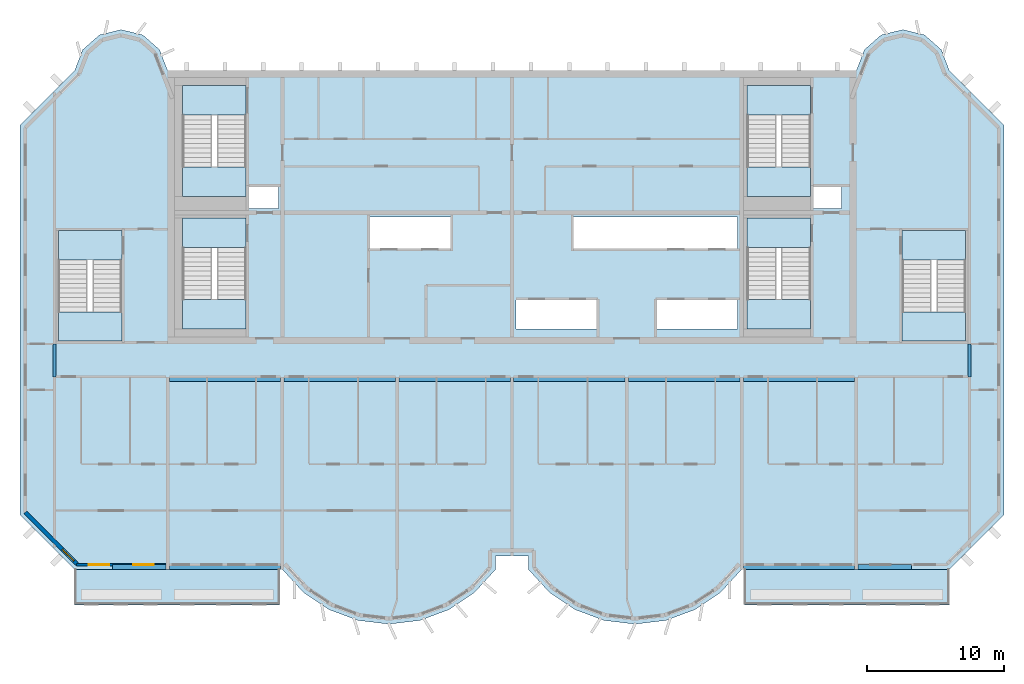
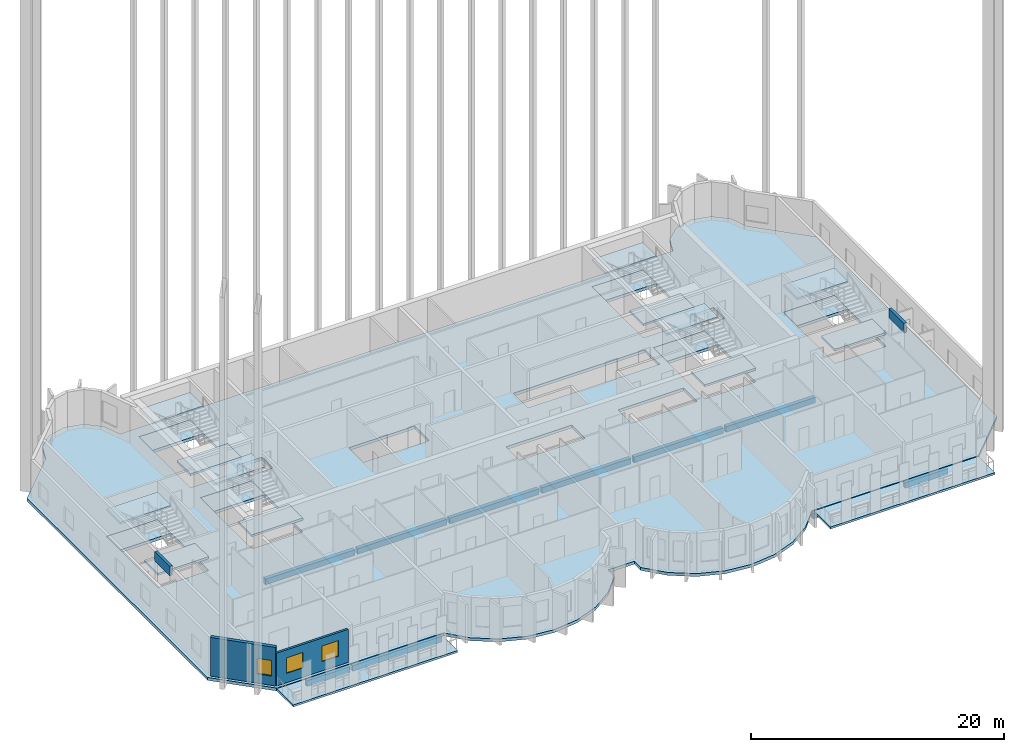
# One storey, part 1 of 13: 21 slabs, 12 beams, 3 windows, 2 walls, 3 openings, 6 elements without a shape of their own.
"""IFC4 building model written with IfcOpenShell, lengths in metres."""

from ifc_helpers import new_model, si_unit, direction, frame, frame_2d, origin, origin_2d, place, context, subcontext, project, spatial, polyline, rectangle, outline, extrude, source, transform, mapped, material, layer, layer_set, material_profile, profile_set, type_object, element, fill, aggregate, save


model = new_model("IFC4")

# Units and contexts
model_context = context("Model", 3, precision=1e-05, world=origin(), true_north=direction((0.0, 1.0)))
body_context = subcontext(model_context, "Body", "Model", "MODEL_VIEW")
ifc_project = project(units=[si_unit("LENGTHUNIT", "METRE"), si_unit("AREAUNIT", "SQUARE_METRE"), si_unit("VOLUMEUNIT", "CUBIC_METRE"), si_unit("PLANEANGLEUNIT", "RADIAN"), si_unit("MASSUNIT", "GRAM", prefix="KILO")], contexts=[model_context])

# Site, building, storey
site_placement = place(None, origin())
site = spatial("IfcSite", under=ifc_project, at=site_placement, CompositionType="ELEMENT")
building_placement = place(site_placement, origin())
building = spatial("IfcBuilding", under=site, at=building_placement, Name="Vanashikhar Sky Hotel", CompositionType="ELEMENT")
storey_placement = place(building_placement, frame((0.0, 0.0, 277.699951171875)))
storey = spatial("IfcBuildingStorey", under=building, at=storey_placement, Name="L66", CompositionType="ELEMENT", Elevation=277.699951171875)

# Beams
ifc_material_1 = material(Name="Concrete M50", Category="concrete")
ifc_material_profile_1 = material_profile(ifc_material_1, rectangle(XDim=0.25, YDim=0.89990234375, at=origin_2d()))
ifc_profile_set_1 = profile_set([ifc_material_profile_1], Name="RC 250x900 beam Concrete M50")
beam_type_1 = type_object("IfcBeamType", Name="RC 250x900 beam Concrete M50", PredefinedType="LINTEL", material=ifc_profile_set_1)
shared_shape_1 = source(origin(), body_context, "Body", "SweptSolid", [
    extrude(rectangle(XDim=0.25, YDim=0.89990234375, at=origin_2d()), origin(), (0.0, 0.0, 1.0), 2.39990234375),
])
for number, where, z_axis, x_axis, name in (
    (1, (16.925048828125, 19.60009765625, 3.27001953125), (0.0, 1.0, 0.0), (-1.0, 0.0, 0.0), "LB-L66-XW03"),
    (2, (83.875, 19.60009765625, 3.27001953125), (0.0, 1.0, 0.0), (-1.0, 0.0, 0.0), "LB-L66-XW11"),
):
    element("IfcBeam", number, at=place(storey_placement, frame(where, z_axis=z_axis, x_axis=x_axis)), inside=storey, type_object=beam_type_1, Name=name, PredefinedType="LINTEL", context=body_context, shape_type="MappedRepresentation", body=[
        mapped(shared_shape_1, transform((0.0, 0.0, 0.0), scale=1.0)),
    ])
ifc_material_profile_2 = material_profile(ifc_material_1, rectangle(XDim=0.35009765625, YDim=0.550048828125, at=origin_2d()))
ifc_profile_set_2 = profile_set([ifc_material_profile_2], Name="RC 350x550 beam Concrete M50")
beam_type_2 = type_object("IfcBeamType", Name="RC 350x550 beam Concrete M50", PredefinedType="SPANDREL", material=ifc_profile_set_2)
shared_shape_2 = source(origin(), body_context, "Body", "SweptSolid", [
    extrude(rectangle(XDim=0.35009765625, YDim=0.550048828125, at=origin_2d()), origin(), (0.0, 0.0, 1.0), 8.150146484375),
])
for number, where, z_axis, x_axis, name in (
    (3, (25.324951171875, 5.675048828125, -0.554931640625), (1.0, 0.0, 0.0), (0.0, 1.0, 0.0), "EB-L66-F01"),
    (4, (67.324951171875, 5.675048828125, -0.554931640625), (1.0, 0.0, 0.0), (0.0, 1.0, 0.0), "EB-L66-F03"),
    (5, (25.324951171875, 19.425048828125, -0.554931640625), (1.0, 0.0, 0.0), (0.0, 1.0, 0.0), "CB-L66-01"),
    (6, (50.52490234375, 19.425048828125, -0.554931640625), (1.0, 0.0, 0.0), (0.0, 1.0, 0.0), "CB-L66-04"),
    (7, (67.324951171875, 19.425048828125, -0.554931640625), (1.0, 0.0, 0.0), (0.0, 1.0, 0.0), "CB-L66-06"),
):
    element("IfcBeam", number, at=place(storey_placement, frame(where, z_axis=z_axis, x_axis=x_axis)), inside=storey, type_object=beam_type_2, Name=name, PredefinedType="SPANDREL", context=body_context, shape_type="MappedRepresentation", body=[
        mapped(shared_shape_2, transform((0.0, 0.0, 0.0), scale=1.0)),
    ])
ifc_material_profile_3 = material_profile(ifc_material_1, rectangle(XDim=0.35009765625, YDim=0.550048828125, at=origin_2d()))
ifc_profile_set_3 = profile_set([ifc_material_profile_3], Name="RC 350x550 cantilever beam Concrete M50")
beam_type_3 = type_object("IfcBeamType", Name="RC 350x550 cantilever beam Concrete M50", PredefinedType="SPANDREL", material=ifc_profile_set_3)
shared_shape_3 = source(origin(), body_context, "Body", "SweptSolid", [
    extrude(rectangle(XDim=0.35009765625, YDim=0.550048828125, at=origin_2d()), origin(), (0.0, 0.0, 1.0), 3.89990234375),
])
for number, where, z_axis, x_axis, name in (
    (8, (21.175048828125, 5.675048828125, -0.554931640625), (1.0, 0.0, 0.0), (0.0, 1.0, 0.0), "EB-L66-F02"),
    (9, (75.72509765625, 5.675048828125, -0.554931640625), (1.0, 0.0, 0.0), (0.0, 1.0, 0.0), "EB-L66-F04"),
):
    element("IfcBeam", number, at=place(storey_placement, frame(where, z_axis=z_axis, x_axis=x_axis)), inside=storey, type_object=beam_type_3, Name=name, PredefinedType="SPANDREL", context=body_context, shape_type="MappedRepresentation", body=[
        mapped(shared_shape_3, transform((0.0, 0.0, 0.0), scale=1.0)),
    ])
shared_shape_4 = source(origin(), body_context, "Body", "SweptSolid", [
    extrude(rectangle(XDim=0.35009765625, YDim=0.550048828125, at=origin_2d()), origin(), (0.0, 0.0, 1.0), 8.14990234375),
])
for number, where, z_axis, x_axis, name in (
    (10, (33.72509765625, 19.425048828125, -0.554931640625), (1.0, 0.0, 0.0), (0.0, 1.0, 0.0), "CB-L66-02"),
    (11, (42.125, 19.425048828125, -0.554931640625), (1.0, 0.0, 0.0), (0.0, 1.0, 0.0), "CB-L66-03"),
    (12, (58.925048828125, 19.425048828125, -0.554931640625), (1.0, 0.0, 0.0), (0.0, 1.0, 0.0), "CB-L66-05"),
):
    element("IfcBeam", number, at=place(storey_placement, frame(where, z_axis=z_axis, x_axis=x_axis)), inside=storey, type_object=beam_type_2, Name=name, PredefinedType="SPANDREL", context=body_context, shape_type="MappedRepresentation", body=[
        mapped(shared_shape_4, transform((0.0, 0.0, 0.0), scale=1.0)),
    ])

# Slabs
ifc_material_2 = material(Name="Concrete M40", Category="concrete")
ifc_layer_1 = layer(ifc_material_2, 0.280029296875)
ifc_layer_set_1 = layer_set([ifc_layer_1], Name="Floor slab 280 mm")
slab_type_1 = type_object("IfcSlabType", Name="Floor slab 280 mm", PredefinedType="FLOOR", material=ifc_layer_set_1)
shared_shape_5 = source(origin(), body_context, "Body", "SweptSolid", [
    extrude(outline(polyline([(49.199951171875, 5.5), (49.199951171875, 6.5), (51.60009765625, 6.5), (51.60009765625, 5.5), (53.133056640625, 3.825927734375), (55.01708984375, 2.55810546875), (57.14599609375, 1.76806640625), (59.39990234375, 1.5), (61.654052734375, 1.76806640625), (63.782958984375, 2.55810546875), (65.6669921875, 3.825927734375), (67.199951171875, 5.5), (82.39990234375, 5.5), (86.39990234375, 9.5), (86.39990234375, 38.0), (82.39990234375, 42.0), (81.81494140625, 43.527099609375), (80.587890625, 44.610107421875), (79.0, 45.0), (77.412109375, 44.610107421875), (76.18505859375, 43.527099609375), (75.60009765625, 42.0), (25.199951171875, 42.0), (24.614990234375, 43.527099609375), (23.387939453125, 44.610107421875), (21.800048828125, 45.0), (20.2119140625, 44.610107421875), (18.985107421875, 43.527099609375), (18.39990234375, 42.0), (14.39990234375, 38.0), (14.39990234375, 9.5), (18.39990234375, 5.5), (33.60009765625, 5.5), (35.133056640625, 3.825927734375), (37.01708984375, 2.55810546875), (39.14599609375, 1.76806640625), (41.39990234375, 1.5), (43.654052734375, 1.76806640625), (45.782958984375, 2.55810546875), (47.6669921875, 3.825927734375), (49.199951171875, 5.5)]), holes=[polyline([(33.300048828125, 33.60009765625), (31.050048828125, 33.60009765625), (31.050048828125, 31.89990234375), (33.300048828125, 31.89990234375), (33.300048828125, 33.60009765625)]), polyline([(39.89990234375, 31.300048828125), (39.89990234375, 29.0), (45.89990234375, 29.0), (45.89990234375, 31.300048828125), (39.89990234375, 31.300048828125)]), polyline([(50.699951171875, 25.199951171875), (50.699951171875, 23.10009765625), (56.699951171875, 23.10009765625), (56.699951171875, 25.199951171875), (50.699951171875, 25.199951171875)]), polyline([(66.89990234375, 29.0), (66.89990234375, 31.300048828125), (54.89990234375, 31.300048828125), (54.89990234375, 29.0), (66.89990234375, 29.0)]), polyline([(60.89990234375, 25.199951171875), (60.89990234375, 23.10009765625), (66.89990234375, 23.10009765625), (66.89990234375, 25.199951171875), (60.89990234375, 25.199951171875)]), polyline([(74.5, 33.60009765625), (72.35009765625, 33.60009765625), (72.35009765625, 31.89990234375), (74.5, 31.89990234375), (74.5, 33.60009765625)]), polyline([(30.949951171875, 23.10009765625), (30.949951171875, 31.199951171875), (26.300048828125, 31.199951171875), (26.300048828125, 23.10009765625), (30.949951171875, 23.10009765625)]), polyline([(72.25, 23.10009765625), (72.25, 31.199951171875), (67.60009765625, 31.199951171875), (67.60009765625, 23.10009765625), (72.25, 23.10009765625)]), polyline([(30.949951171875, 32.800048828125), (30.949951171875, 40.89990234375), (26.300048828125, 40.89990234375), (26.300048828125, 32.800048828125), (30.949951171875, 32.800048828125)]), polyline([(72.25, 32.800048828125), (72.25, 40.89990234375), (67.60009765625, 40.89990234375), (67.60009765625, 32.800048828125), (72.25, 32.800048828125)]), polyline([(83.60009765625, 22.199951171875), (83.60009765625, 30.300048828125), (78.949951171875, 30.300048828125), (78.949951171875, 22.199951171875), (83.60009765625, 22.199951171875)]), polyline([(21.85009765625, 22.199951171875), (21.85009765625, 30.300048828125), (17.199951171875, 30.300048828125), (17.199951171875, 22.199951171875), (21.85009765625, 22.199951171875)])]), origin(), (0.0, 0.0, 1.0), 0.280029296875),
])
slab_1_placement = place(storey_placement, frame((0.0, 0.0, -0.280029296875)))
element("IfcSlab", 13, at=slab_1_placement, inside=storey, type_object=slab_type_1, Name="Floor slab L66", PredefinedType="FLOOR", context=body_context, shape_type="MappedRepresentation", body=[
    mapped(shared_shape_5, transform((0.0, 0.0, 0.0), scale=1.0)),
])
ifc_layer_2 = layer(ifc_material_2, 0.199951171875)
ifc_layer_set_2 = layer_set([ifc_layer_2], Name="Balcony slab 200 mm")
slab_type_2 = type_object("IfcSlabType", Name="Balcony slab 200 mm", PredefinedType="USERDEFINED", material=ifc_layer_set_2)
shared_shape_6 = source(origin(), body_context, "Body", "SweptSolid", [
    extrude(outline(polyline([(18.39990234375, 2.89990234375), (33.39990234375, 2.89990234375), (33.39990234375, 5.5), (18.39990234375, 5.5), (18.39990234375, 2.89990234375)])), origin(), (0.0, 0.0, 1.0), 0.199951171875),
])
slab_2_placement = place(storey_placement, frame((0.0, 0.0, -0.25)))
element("IfcSlab", 14, at=slab_2_placement, inside=storey, type_object=slab_type_2, Name="Balcony slab L66 1", ObjectType="BALCONY", PredefinedType="USERDEFINED", context=body_context, shape_type="MappedRepresentation", body=[
    mapped(shared_shape_6, transform((0.0, 0.0, 0.0), scale=1.0)),
])
shared_shape_7 = source(origin(), body_context, "Body", "SweptSolid", [
    extrude(outline(polyline([(67.39990234375, 2.89990234375), (82.39990234375, 2.89990234375), (82.39990234375, 5.5), (67.39990234375, 5.5), (67.39990234375, 2.89990234375)])), origin(), (0.0, 0.0, 1.0), 0.199951171875),
])
slab_3_placement = place(storey_placement, frame((0.0, 0.0, -0.25)))
element("IfcSlab", 15, at=slab_3_placement, inside=storey, type_object=slab_type_2, Name="Balcony slab L66 2", ObjectType="BALCONY", PredefinedType="USERDEFINED", context=body_context, shape_type="MappedRepresentation", body=[
    mapped(shared_shape_7, transform((0.0, 0.0, 0.0), scale=1.0)),
])

# Stair, slabs
stair_type = type_object("IfcStairType", Name="Exit stair 2150", PredefinedType="DOUBLE_RETURN_STAIR", material=ifc_material_2)
stair_1_placement = place(storey_placement, origin())
stair_1 = element("IfcStair", 16, at=stair_1_placement, inside=storey, type_object=stair_type, Name="L66 Exit stair 1", PredefinedType="DOUBLE_RETURN_STAIR")
ifc_layer_3 = layer(ifc_material_2, 0.199951171875)
ifc_layer_set_3 = layer_set([ifc_layer_3], Name="Stair landing 200")
slab_type_3 = type_object("IfcSlabType", Name="Stair landing 200", PredefinedType="LANDING", material=ifc_layer_set_3)
shared_shape_8 = source(origin(), body_context, "Body", "SweptSolid", [
    extrude(outline(polyline([(30.949951171875, 29.050048828125), (30.949951171875, 31.199951171875), (26.300048828125, 31.199951171875), (26.300048828125, 29.050048828125), (30.949951171875, 29.050048828125)])), origin(), (0.0, 0.0, 1.0), 0.199951171875),
])
slab_4_placement = place(storey_placement, frame((0.0, 0.0, 2.466796875)))
slab_4 = element("IfcSlab", 17, at=slab_4_placement, type_object=slab_type_3, Name="ST-C1 landing 2", PredefinedType="LANDING", context=body_context, shape_type="MappedRepresentation", body=[
    mapped(shared_shape_8, transform((0.0, 0.0, 0.0), scale=1.0)),
])
shared_shape_9 = source(origin(), body_context, "Body", "SweptSolid", [
    extrude(outline(polyline([(30.949951171875, 23.10009765625), (30.949951171875, 25.25), (26.300048828125, 25.25), (26.300048828125, 23.10009765625), (30.949951171875, 23.10009765625)])), origin(), (0.0, 0.0, 1.0), 0.2001953125),
])
slab_5_placement = place(storey_placement, frame((0.0, 0.0, 1.13330078125)))
slab_5 = element("IfcSlab", 18, at=slab_5_placement, type_object=slab_type_3, Name="ST-C1 landing 1", PredefinedType="LANDING", context=body_context, shape_type="MappedRepresentation", body=[
    mapped(shared_shape_9, transform((0.0, 0.0, 0.0), scale=1.0)),
])
aggregate(stair_1, [slab_5, slab_4])

# Slab
ifc_layer_4 = layer(ifc_material_2, 0.280029296875)
ifc_layer_set_4 = layer_set([ifc_layer_4], Name="Stair floor landing 280")
slab_type_4 = type_object("IfcSlabType", Name="Stair floor landing 280", PredefinedType="LANDING", material=ifc_layer_set_4)
shared_shape_10 = source(origin(), body_context, "Body", "SweptSolid", [
    extrude(outline(polyline([(30.949951171875, 29.050048828125), (30.949951171875, 31.199951171875), (26.300048828125, 31.199951171875), (26.300048828125, 29.050048828125), (30.949951171875, 29.050048828125)])), origin(), (0.0, 0.0, 1.0), 0.280029296875),
])
slab_6_placement = place(storey_placement, frame((0.0, 0.0, -0.280029296875)))
element("IfcSlab", 19, at=slab_6_placement, inside=storey, type_object=slab_type_4, Name="Exit stair 1 floor landing", PredefinedType="LANDING", context=body_context, shape_type="MappedRepresentation", body=[
    mapped(shared_shape_10, transform((0.0, 0.0, 0.0), scale=1.0)),
])

# Stair, slabs
stair_2_placement = place(storey_placement, origin())
stair_2 = element("IfcStair", 20, at=stair_2_placement, inside=storey, type_object=stair_type, Name="L66 Exit stair 2", PredefinedType="DOUBLE_RETURN_STAIR")
shared_shape_11 = source(origin(), body_context, "Body", "SweptSolid", [
    extrude(outline(polyline([(72.25, 29.050048828125), (72.25, 31.199951171875), (67.60009765625, 31.199951171875), (67.60009765625, 29.050048828125), (72.25, 29.050048828125)])), origin(), (0.0, 0.0, 1.0), 0.199951171875),
])
slab_7_placement = place(storey_placement, frame((0.0, 0.0, 2.466796875)))
slab_7 = element("IfcSlab", 21, at=slab_7_placement, type_object=slab_type_3, Name="ST-C2 landing 2", PredefinedType="LANDING", context=body_context, shape_type="MappedRepresentation", body=[
    mapped(shared_shape_11, transform((0.0, 0.0, 0.0), scale=1.0)),
])
shared_shape_12 = source(origin(), body_context, "Body", "SweptSolid", [
    extrude(outline(polyline([(72.25, 23.10009765625), (72.25, 25.25), (67.60009765625, 25.25), (67.60009765625, 23.10009765625), (72.25, 23.10009765625)])), origin(), (0.0, 0.0, 1.0), 0.2001953125),
])
slab_8_placement = place(storey_placement, frame((0.0, 0.0, 1.13330078125)))
slab_8 = element("IfcSlab", 22, at=slab_8_placement, type_object=slab_type_3, Name="ST-C2 landing 1", PredefinedType="LANDING", context=body_context, shape_type="MappedRepresentation", body=[
    mapped(shared_shape_12, transform((0.0, 0.0, 0.0), scale=1.0)),
])
aggregate(stair_2, [slab_8, slab_7])

# Slab
shared_shape_13 = source(origin(), body_context, "Body", "SweptSolid", [
    extrude(outline(polyline([(72.25, 29.050048828125), (72.25, 31.199951171875), (67.60009765625, 31.199951171875), (67.60009765625, 29.050048828125), (72.25, 29.050048828125)])), origin(), (0.0, 0.0, 1.0), 0.280029296875),
])
slab_9_placement = place(storey_placement, frame((0.0, 0.0, -0.280029296875)))
element("IfcSlab", 23, at=slab_9_placement, inside=storey, type_object=slab_type_4, Name="Exit stair 2 floor landing", PredefinedType="LANDING", context=body_context, shape_type="MappedRepresentation", body=[
    mapped(shared_shape_13, transform((0.0, 0.0, 0.0), scale=1.0)),
])

# Stair, slabs
stair_3_placement = place(storey_placement, origin())
stair_3 = element("IfcStair", 24, at=stair_3_placement, inside=storey, type_object=stair_type, Name="L66 Exit stair 3", PredefinedType="DOUBLE_RETURN_STAIR")
shared_shape_14 = source(origin(), body_context, "Body", "SweptSolid", [
    extrude(outline(polyline([(21.85009765625, 28.14990234375), (21.85009765625, 30.300048828125), (17.199951171875, 30.300048828125), (17.199951171875, 28.14990234375), (21.85009765625, 28.14990234375)])), origin(), (0.0, 0.0, 1.0), 0.199951171875),
])
slab_10_placement = place(storey_placement, frame((0.0, 0.0, 2.466796875)))
slab_10 = element("IfcSlab", 25, at=slab_10_placement, type_object=slab_type_3, Name="ST-W landing 2", PredefinedType="LANDING", context=body_context, shape_type="MappedRepresentation", body=[
    mapped(shared_shape_14, transform((0.0, 0.0, 0.0), scale=1.0)),
])
shared_shape_15 = source(origin(), body_context, "Body", "SweptSolid", [
    extrude(outline(polyline([(21.85009765625, 22.199951171875), (21.85009765625, 24.35009765625), (17.199951171875, 24.35009765625), (17.199951171875, 22.199951171875), (21.85009765625, 22.199951171875)])), origin(), (0.0, 0.0, 1.0), 0.2001953125),
])
slab_11_placement = place(storey_placement, frame((0.0, 0.0, 1.13330078125)))
slab_11 = element("IfcSlab", 26, at=slab_11_placement, type_object=slab_type_3, Name="ST-W landing 1", PredefinedType="LANDING", context=body_context, shape_type="MappedRepresentation", body=[
    mapped(shared_shape_15, transform((0.0, 0.0, 0.0), scale=1.0)),
])
aggregate(stair_3, [slab_11, slab_10])

# Slab
shared_shape_16 = source(origin(), body_context, "Body", "SweptSolid", [
    extrude(outline(polyline([(21.85009765625, 28.14990234375), (21.85009765625, 30.300048828125), (17.199951171875, 30.300048828125), (17.199951171875, 28.14990234375), (21.85009765625, 28.14990234375)])), origin(), (0.0, 0.0, 1.0), 0.280029296875),
])
slab_12_placement = place(storey_placement, frame((0.0, 0.0, -0.280029296875)))
element("IfcSlab", 27, at=slab_12_placement, inside=storey, type_object=slab_type_4, Name="Exit stair 3 floor landing", PredefinedType="LANDING", context=body_context, shape_type="MappedRepresentation", body=[
    mapped(shared_shape_16, transform((0.0, 0.0, 0.0), scale=1.0)),
])

# Stair, slabs
stair_4_placement = place(storey_placement, origin())
stair_4 = element("IfcStair", 28, at=stair_4_placement, inside=storey, type_object=stair_type, Name="L66 Exit stair 4", PredefinedType="DOUBLE_RETURN_STAIR")
shared_shape_17 = source(origin(), body_context, "Body", "SweptSolid", [
    extrude(outline(polyline([(83.60009765625, 28.14990234375), (83.60009765625, 30.300048828125), (78.949951171875, 30.300048828125), (78.949951171875, 28.14990234375), (83.60009765625, 28.14990234375)])), origin(), (0.0, 0.0, 1.0), 0.199951171875),
])
slab_13_placement = place(storey_placement, frame((0.0, 0.0, 2.466796875)))
slab_13 = element("IfcSlab", 29, at=slab_13_placement, type_object=slab_type_3, Name="ST-E landing 2", PredefinedType="LANDING", context=body_context, shape_type="MappedRepresentation", body=[
    mapped(shared_shape_17, transform((0.0, 0.0, 0.0), scale=1.0)),
])
shared_shape_18 = source(origin(), body_context, "Body", "SweptSolid", [
    extrude(outline(polyline([(83.60009765625, 22.199951171875), (83.60009765625, 24.35009765625), (78.949951171875, 24.35009765625), (78.949951171875, 22.199951171875), (83.60009765625, 22.199951171875)])), origin(), (0.0, 0.0, 1.0), 0.2001953125),
])
slab_14_placement = place(storey_placement, frame((0.0, 0.0, 1.13330078125)))
slab_14 = element("IfcSlab", 30, at=slab_14_placement, type_object=slab_type_3, Name="ST-E landing 1", PredefinedType="LANDING", context=body_context, shape_type="MappedRepresentation", body=[
    mapped(shared_shape_18, transform((0.0, 0.0, 0.0), scale=1.0)),
])
aggregate(stair_4, [slab_14, slab_13])

# Slab
shared_shape_19 = source(origin(), body_context, "Body", "SweptSolid", [
    extrude(outline(polyline([(83.60009765625, 28.14990234375), (83.60009765625, 30.300048828125), (78.949951171875, 30.300048828125), (78.949951171875, 28.14990234375), (83.60009765625, 28.14990234375)])), origin(), (0.0, 0.0, 1.0), 0.280029296875),
])
slab_15_placement = place(storey_placement, frame((0.0, 0.0, -0.280029296875)))
element("IfcSlab", 31, at=slab_15_placement, inside=storey, type_object=slab_type_4, Name="Exit stair 4 floor landing", PredefinedType="LANDING", context=body_context, shape_type="MappedRepresentation", body=[
    mapped(shared_shape_19, transform((0.0, 0.0, 0.0), scale=1.0)),
])

# Stair, slabs
stair_5_placement = place(storey_placement, origin())
stair_5 = element("IfcStair", 32, at=stair_5_placement, inside=storey, type_object=stair_type, Name="L66 Exit stair 5", PredefinedType="DOUBLE_RETURN_STAIR")
shared_shape_20 = source(origin(), body_context, "Body", "SweptSolid", [
    extrude(outline(polyline([(30.949951171875, 38.75), (30.949951171875, 40.89990234375), (26.300048828125, 40.89990234375), (26.300048828125, 38.75), (30.949951171875, 38.75)])), origin(), (0.0, 0.0, 1.0), 0.199951171875),
])
slab_16_placement = place(storey_placement, frame((0.0, 0.0, 2.466796875)))
slab_16 = element("IfcSlab", 33, at=slab_16_placement, type_object=slab_type_3, Name="ST-C3 landing 2", PredefinedType="LANDING", context=body_context, shape_type="MappedRepresentation", body=[
    mapped(shared_shape_20, transform((0.0, 0.0, 0.0), scale=1.0)),
])
shared_shape_21 = source(origin(), body_context, "Body", "SweptSolid", [
    extrude(outline(polyline([(30.949951171875, 32.800048828125), (30.949951171875, 34.949951171875), (26.300048828125, 34.949951171875), (26.300048828125, 32.800048828125), (30.949951171875, 32.800048828125)])), origin(), (0.0, 0.0, 1.0), 0.2001953125),
])
slab_17_placement = place(storey_placement, frame((0.0, 0.0, 1.13330078125)))
slab_17 = element("IfcSlab", 34, at=slab_17_placement, type_object=slab_type_3, Name="ST-C3 landing 1", PredefinedType="LANDING", context=body_context, shape_type="MappedRepresentation", body=[
    mapped(shared_shape_21, transform((0.0, 0.0, 0.0), scale=1.0)),
])
aggregate(stair_5, [slab_17, slab_16])

# Slab
shared_shape_22 = source(origin(), body_context, "Body", "SweptSolid", [
    extrude(outline(polyline([(30.949951171875, 38.75), (30.949951171875, 40.89990234375), (26.300048828125, 40.89990234375), (26.300048828125, 38.75), (30.949951171875, 38.75)])), origin(), (0.0, 0.0, 1.0), 0.280029296875),
])
slab_18_placement = place(storey_placement, frame((0.0, 0.0, -0.280029296875)))
element("IfcSlab", 35, at=slab_18_placement, inside=storey, type_object=slab_type_4, Name="Exit stair 5 floor landing", PredefinedType="LANDING", context=body_context, shape_type="MappedRepresentation", body=[
    mapped(shared_shape_22, transform((0.0, 0.0, 0.0), scale=1.0)),
])

# Stair, slabs
stair_6_placement = place(storey_placement, origin())
stair_6 = element("IfcStair", 36, at=stair_6_placement, inside=storey, type_object=stair_type, Name="L66 Exit stair 6", PredefinedType="DOUBLE_RETURN_STAIR")
shared_shape_23 = source(origin(), body_context, "Body", "SweptSolid", [
    extrude(outline(polyline([(72.25, 38.75), (72.25, 40.89990234375), (67.60009765625, 40.89990234375), (67.60009765625, 38.75), (72.25, 38.75)])), origin(), (0.0, 0.0, 1.0), 0.199951171875),
])
slab_19_placement = place(storey_placement, frame((0.0, 0.0, 2.466796875)))
slab_19 = element("IfcSlab", 37, at=slab_19_placement, type_object=slab_type_3, Name="ST-C4 landing 2", PredefinedType="LANDING", context=body_context, shape_type="MappedRepresentation", body=[
    mapped(shared_shape_23, transform((0.0, 0.0, 0.0), scale=1.0)),
])
shared_shape_24 = source(origin(), body_context, "Body", "SweptSolid", [
    extrude(outline(polyline([(72.25, 32.800048828125), (72.25, 34.949951171875), (67.60009765625, 34.949951171875), (67.60009765625, 32.800048828125), (72.25, 32.800048828125)])), origin(), (0.0, 0.0, 1.0), 0.2001953125),
])
slab_20_placement = place(storey_placement, frame((0.0, 0.0, 1.13330078125)))
slab_20 = element("IfcSlab", 38, at=slab_20_placement, type_object=slab_type_3, Name="ST-C4 landing 1", PredefinedType="LANDING", context=body_context, shape_type="MappedRepresentation", body=[
    mapped(shared_shape_24, transform((0.0, 0.0, 0.0), scale=1.0)),
])
aggregate(stair_6, [slab_20, slab_19])

# Slab
shared_shape_25 = source(origin(), body_context, "Body", "SweptSolid", [
    extrude(outline(polyline([(72.25, 38.75), (72.25, 40.89990234375), (67.60009765625, 40.89990234375), (67.60009765625, 38.75), (72.25, 38.75)])), origin(), (0.0, 0.0, 1.0), 0.280029296875),
])
slab_21_placement = place(storey_placement, frame((0.0, 0.0, -0.280029296875)))
element("IfcSlab", 39, at=slab_21_placement, inside=storey, type_object=slab_type_4, Name="Exit stair 6 floor landing", PredefinedType="LANDING", context=body_context, shape_type="MappedRepresentation", body=[
    mapped(shared_shape_25, transform((0.0, 0.0, 0.0), scale=1.0)),
])

# Wall, openings, windows
ifc_layer_5 = layer(ifc_material_1, 0.199951171875)
ifc_layer_set_5 = layer_set([ifc_layer_5], Name="Front window wall 200")
wall_type_1 = type_object("IfcWallType", Name="Front window wall 200", PredefinedType="SOLIDWALL", material=ifc_layer_set_5)
shared_shape_26 = source(origin(), body_context, "Body", "SweptSolid", [
    extrude(rectangle(XDim=6.530029296875, YDim=0.199951171875, at=frame_2d((3.26513671875, 0.0))), origin(), (0.0, 0.0, 1.0), 3.170166015625),
])
wall_1_placement = place(storey_placement, frame((18.544921875, 5.85009765625, 0.0), z_axis=(0.0, 0.0, 1.0), x_axis=(1.0, 0.0, 0.0)))
wall_1 = element("IfcWall", 40, at=wall_1_placement, inside=storey, type_object=wall_type_1, Name="Front window wall", PredefinedType="SOLIDWALL", context=body_context, shape_type="MappedRepresentation", body=[
    mapped(shared_shape_26, transform((0.0, 0.0, 0.0), scale=1.0)),
])
shared_shape_27 = source(origin(), body_context, "Body", "SweptSolid", [
    extrude(rectangle(XDim=1.5, YDim=1.5, at=frame_2d((0.75, 0.75))), frame((0.0, 0.10986328125, 0.0), z_axis=(0.0, -1.0, 0.0), x_axis=(1.0, 0.0, 0.0)), (0.0, 0.0, 1.0), 0.219970703125),
])
opening_1_placement = place(wall_1_placement, frame((0.882568359375, 0.0, 0.89990234375)))
opening_1 = element("IfcOpeningElement", 41, at=opening_1_placement, cuts=wall_1, Name="Opening WN-1", PredefinedType="OPENING", context=body_context, shape_type="MappedRepresentation", body=[
    mapped(shared_shape_27, transform((0.0, 0.0, 0.0), scale=1.0)),
])
opening_2_placement = place(wall_1_placement, frame((4.1474609375, 0.0, 0.89990234375)))
opening_2 = element("IfcOpeningElement", 42, at=opening_2_placement, cuts=wall_1, Name="Opening WN-1", PredefinedType="OPENING", context=body_context, shape_type="MappedRepresentation", body=[
    mapped(shared_shape_27, transform((0.0, 0.0, 0.0), scale=1.0)),
])
ifc_material_3 = material(Name="Glass", Category="glass")
window_type_1 = type_object("IfcWindowType", Name="Window 1500 x 1500", PartitioningType="SINGLE_PANEL", PredefinedType="WINDOW", material=ifc_material_3)
shared_shape_28 = source(origin(), body_context, "Body", "SweptSolid", [
    extrude(rectangle(XDim=1.5, YDim=1.5, at=frame_2d((0.75, 0.75))), frame((0.0, 0.030029296875, 0.0), z_axis=(0.0, -1.0, 0.0), x_axis=(1.0, 0.0, 0.0)), (0.0, 0.0, 1.0), 0.06005859375),
])
window_1_placement = place(opening_1_placement, origin())
window_1 = element("IfcWindow", 43, at=window_1_placement, inside=storey, type_object=window_type_1, Name="Window WN-1", OverallHeight=1.5, OverallWidth=1.5, PartitioningType="SINGLE_PANEL", PredefinedType="WINDOW", context=body_context, shape_type="MappedRepresentation", body=[
    mapped(shared_shape_28, transform((0.0, 0.0, 0.0), scale=1.0)),
])
fill(opening_1, window_1)
window_2_placement = place(opening_2_placement, origin())
window_2 = element("IfcWindow", 44, at=window_2_placement, inside=storey, type_object=window_type_1, Name="Window WN-1", OverallHeight=1.5, OverallWidth=1.5, PartitioningType="SINGLE_PANEL", PredefinedType="WINDOW", context=body_context, shape_type="MappedRepresentation", body=[
    mapped(shared_shape_28, transform((0.0, 0.0, 0.0), scale=1.0)),
])
fill(opening_2, window_2)

# Wall, opening, window
ifc_layer_6 = layer(ifc_material_1, 0.300048828125)
ifc_layer_set_6 = layer_set([ifc_layer_6], Name="Lobe wall 300")
wall_type_2 = type_object("IfcWallType", Name="Lobe wall 300", PredefinedType="SOLIDWALL", material=ifc_layer_set_6)
shared_shape_29 = source(origin(), body_context, "Body", "SweptSolid", [
    extrude(rectangle(XDim=5.32568359375, YDim=0.300048828125, at=frame_2d((2.662841796875, 0.0))), origin(), (0.0, 0.0, 1.0), 3.719970703125),
])
wall_2_placement = place(storey_placement, frame((14.800048828125, 9.665771484375, 0.0), z_axis=(0.0, 0.0, 1.0), x_axis=(0.707083859269, -0.707129702361, 0.0)))
wall_2 = element("IfcWall", 45, at=wall_2_placement, inside=storey, type_object=wall_type_2, Name="Corner wall", PredefinedType="SOLIDWALL", context=body_context, shape_type="MappedRepresentation", body=[
    mapped(shared_shape_29, transform((0.0, 0.0, 0.0), scale=1.0)),
])
shared_shape_30 = source(origin(), body_context, "Body", "SweptSolid", [
    extrude(rectangle(XDim=1.199951171875, YDim=1.5, at=frame_2d((0.60009765625, 0.75))), frame((0.0, 0.16015625, 0.0), z_axis=(0.0, -1.0, 0.0), x_axis=(1.0, 0.0, 0.0)), (0.0, 0.0, 1.0), 0.320068359375),
])
opening_3_placement = place(wall_2_placement, frame((3.8154296875, 0.0, 0.89990234375)))
opening_3 = element("IfcOpeningElement", 46, at=opening_3_placement, cuts=wall_2, Name="Opening WN-3", PredefinedType="OPENING", context=body_context, shape_type="MappedRepresentation", body=[
    mapped(shared_shape_30, transform((0.0, 0.0, 0.0), scale=1.0)),
])
window_type_2 = type_object("IfcWindowType", Name="Corridor end window 1200 x 1500", PartitioningType="SINGLE_PANEL", PredefinedType="WINDOW", material=ifc_material_3)
shared_shape_31 = source(origin(), body_context, "Body", "SweptSolid", [
    extrude(rectangle(XDim=1.199951171875, YDim=1.5, at=frame_2d((0.60009765625, 0.75))), frame((0.0, 0.030029296875, 0.0), z_axis=(0.0, -1.0, 0.0), x_axis=(1.0, 0.0, 0.0)), (0.0, 0.0, 1.0), 0.06005859375),
])
window_3_placement = place(opening_3_placement, origin())
window_3 = element("IfcWindow", 47, at=window_3_placement, inside=storey, type_object=window_type_2, Name="Window WN-3", OverallHeight=1.5, OverallWidth=1.199951171875, PartitioningType="SINGLE_PANEL", PredefinedType="WINDOW", context=body_context, shape_type="MappedRepresentation", body=[
    mapped(shared_shape_31, transform((0.0, 0.0, 0.0), scale=1.0)),
])
fill(opening_3, window_3)

save(model, "model.ifc")
